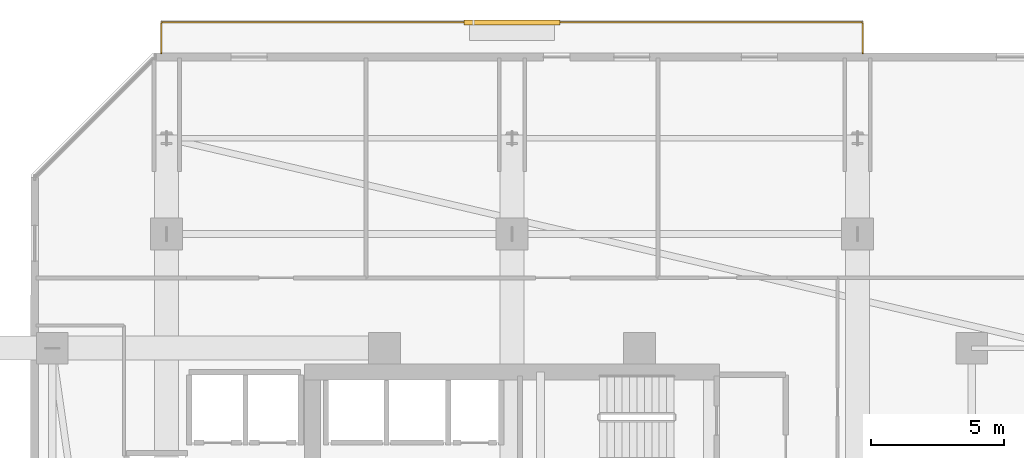
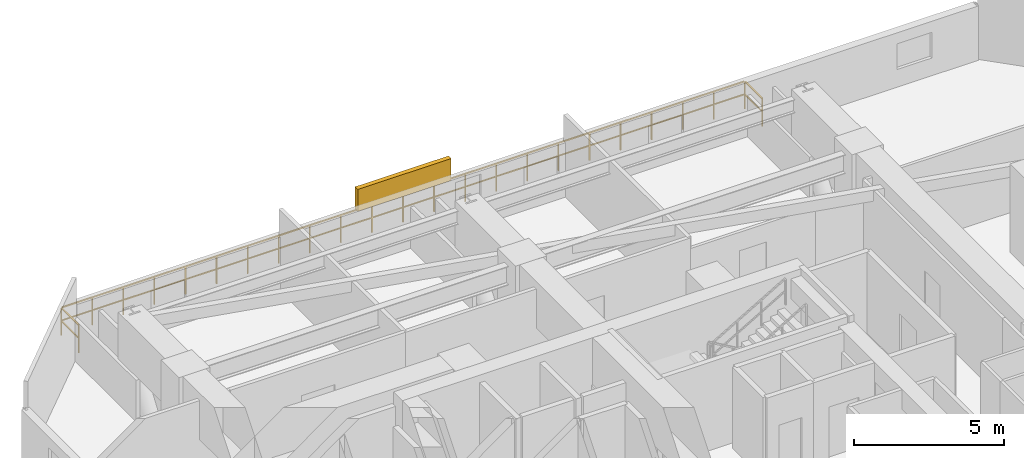
# One storey, part 34 of 36: 1 railing, 1 shading device.
"""IFC4 building model written with IfcOpenShell, lengths in metres."""

from ifc_helpers import new_model, si_unit, direction, frame, origin, origin_2d, place, context, subcontext, project, spatial, rectangle, extrude, material, type_object, element, save


model = new_model("IFC4")

# Units and contexts
model_context = context("Model", 3, precision=1e-05, world=origin(), true_north=direction((0.0, 1.0)))
body_context = subcontext(model_context, "Body", "Model", "MODEL_VIEW")
ifc_project = project(units=[si_unit("LENGTHUNIT", "METRE"), si_unit("AREAUNIT", "SQUARE_METRE"), si_unit("VOLUMEUNIT", "CUBIC_METRE"), si_unit("PLANEANGLEUNIT", "RADIAN"), si_unit("MASSUNIT", "GRAM", prefix="KILO")], contexts=[model_context])

# Site, building, storey
site_placement = place(None, origin())
site = spatial("IfcSite", under=ifc_project, at=site_placement, CompositionType="ELEMENT")
building_placement = place(site_placement, origin())
building = spatial("IfcBuilding", under=site, at=building_placement, Name="Thornwick Lancets Civic Towers", CompositionType="ELEMENT")
storey_placement = place(building_placement, frame((0.0, 0.0, 94.5)))
storey = spatial("IfcBuildingStorey", under=building, at=storey_placement, Name="L24", CompositionType="ELEMENT", Elevation=94.5)

# Railing
ifc_material_1 = material(Name="Terracotta-capped laminated glass balustrade S355", Category="masonry")
railing_type = type_object("IfcRailingType", Name="RAIL_TERR_GUARD", PredefinedType="GUARDRAIL", material=ifc_material_1)
railing_placement = place(storey_placement, frame((12.300048828125, 51.10009765625, 0.0)))
element("IfcRailing", 1, at=railing_placement, inside=storey, type_object=railing_type, Name="L24 Tower A Balcony Guard N", PredefinedType="GUARDRAIL", context=body_context, shape_type="SweptSolid", body=[
    extrude(rectangle(XDim=0.048095703125, YDim=0.048095703125, at=origin_2d()), frame((0.0, 0.0, 1.1259765625), z_axis=(0.0, 1.0, 0.0), x_axis=(-1.0, 0.0, 0.0)), (0.0, 0.0, 1.0), 1.138671875),
    extrude(rectangle(XDim=0.0419921875, YDim=0.0419921875, at=origin_2d()), frame((0.0, 0.03759765625, 0.597900390625), z_axis=(0.0, 1.0, 0.0), x_axis=(-1.0, 0.0, 0.0)), (0.0, 0.0, 1.0), 1.094970703125),
    extrude(rectangle(XDim=0.048095703125, YDim=0.048095703125, at=origin_2d()), frame((0.03125, 1.169921875, 1.1259765625), z_axis=(1.0, 0.0, 0.0), x_axis=(0.0, 1.0, 0.0)), (0.0, 0.0, 1.0), 26.33740234375),
    extrude(rectangle(XDim=0.0419921875, YDim=0.0419921875, at=origin_2d()), frame((0.03759765625, 1.169921875, 0.597900390625), z_axis=(1.0, 0.0, 0.0), x_axis=(0.0, 1.0, 0.0)), (0.0, 0.0, 1.0), 1.125),
    extrude(rectangle(XDim=0.0419921875, YDim=0.0419921875, at=origin_2d()), frame((1.237548828125, 1.169921875, 0.597900390625), z_axis=(1.0, 0.0, 0.0), x_axis=(0.0, 1.0, 0.0)), (0.0, 0.0, 1.0), 1.125),
    extrude(rectangle(XDim=0.0419921875, YDim=0.0419921875, at=origin_2d()), frame((2.4375, 1.169921875, 0.597900390625), z_axis=(1.0, 0.0, 0.0), x_axis=(0.0, 1.0, 0.0)), (0.0, 0.0, 1.0), 1.125),
    extrude(rectangle(XDim=0.0419921875, YDim=0.0419921875, at=origin_2d()), frame((3.637451171875, 1.169921875, 0.597900390625), z_axis=(1.0, 0.0, 0.0), x_axis=(0.0, 1.0, 0.0)), (0.0, 0.0, 1.0), 1.125),
    extrude(rectangle(XDim=0.0419921875, YDim=0.0419921875, at=origin_2d()), frame((4.83740234375, 1.169921875, 0.597900390625), z_axis=(1.0, 0.0, 0.0), x_axis=(0.0, 1.0, 0.0)), (0.0, 0.0, 1.0), 1.125),
    extrude(rectangle(XDim=0.0419921875, YDim=0.0419921875, at=origin_2d()), frame((6.037353515625, 1.169921875, 0.597900390625), z_axis=(1.0, 0.0, 0.0), x_axis=(0.0, 1.0, 0.0)), (0.0, 0.0, 1.0), 1.125),
    extrude(rectangle(XDim=0.0419921875, YDim=0.0419921875, at=origin_2d()), frame((7.237548828125, 1.169921875, 0.597900390625), z_axis=(1.0, 0.0, 0.0), x_axis=(0.0, 1.0, 0.0)), (0.0, 0.0, 1.0), 1.125),
    extrude(rectangle(XDim=0.0419921875, YDim=0.0419921875, at=origin_2d()), frame((8.4375, 1.169921875, 0.597900390625), z_axis=(1.0, 0.0, 0.0), x_axis=(0.0, 1.0, 0.0)), (0.0, 0.0, 1.0), 1.125),
    extrude(rectangle(XDim=0.0419921875, YDim=0.0419921875, at=origin_2d()), frame((9.637451171875, 1.169921875, 0.597900390625), z_axis=(1.0, 0.0, 0.0), x_axis=(0.0, 1.0, 0.0)), (0.0, 0.0, 1.0), 1.125),
    extrude(rectangle(XDim=0.0419921875, YDim=0.0419921875, at=origin_2d()), frame((10.83740234375, 1.169921875, 0.597900390625), z_axis=(1.0, 0.0, 0.0), x_axis=(0.0, 1.0, 0.0)), (0.0, 0.0, 1.0), 1.125),
    extrude(rectangle(XDim=0.0419921875, YDim=0.0419921875, at=origin_2d()), frame((12.037353515625, 1.169921875, 0.597900390625), z_axis=(1.0, 0.0, 0.0), x_axis=(0.0, 1.0, 0.0)), (0.0, 0.0, 1.0), 1.125),
    extrude(rectangle(XDim=0.0419921875, YDim=0.0419921875, at=origin_2d()), frame((13.237548828125, 1.169921875, 0.597900390625), z_axis=(1.0, 0.0, 0.0), x_axis=(0.0, 1.0, 0.0)), (0.0, 0.0, 1.0), 1.125),
    extrude(rectangle(XDim=0.0419921875, YDim=0.0419921875, at=origin_2d()), frame((14.4375, 1.169921875, 0.597900390625), z_axis=(1.0, 0.0, 0.0), x_axis=(0.0, 1.0, 0.0)), (0.0, 0.0, 1.0), 1.125),
    extrude(rectangle(XDim=0.0419921875, YDim=0.0419921875, at=origin_2d()), frame((15.637451171875, 1.169921875, 0.597900390625), z_axis=(1.0, 0.0, 0.0), x_axis=(0.0, 1.0, 0.0)), (0.0, 0.0, 1.0), 1.125),
    extrude(rectangle(XDim=0.0419921875, YDim=0.0419921875, at=origin_2d()), frame((16.83740234375, 1.169921875, 0.597900390625), z_axis=(1.0, 0.0, 0.0), x_axis=(0.0, 1.0, 0.0)), (0.0, 0.0, 1.0), 1.125),
    extrude(rectangle(XDim=0.0419921875, YDim=0.0419921875, at=origin_2d()), frame((18.037353515625, 1.169921875, 0.597900390625), z_axis=(1.0, 0.0, 0.0), x_axis=(0.0, 1.0, 0.0)), (0.0, 0.0, 1.0), 1.125),
    extrude(rectangle(XDim=0.0419921875, YDim=0.0419921875, at=origin_2d()), frame((19.2373046875, 1.169921875, 0.597900390625), z_axis=(1.0, 0.0, 0.0), x_axis=(0.0, 1.0, 0.0)), (0.0, 0.0, 1.0), 1.125),
    extrude(rectangle(XDim=0.0419921875, YDim=0.0419921875, at=origin_2d()), frame((20.4375, 1.169921875, 0.597900390625), z_axis=(1.0, 0.0, 0.0), x_axis=(0.0, 1.0, 0.0)), (0.0, 0.0, 1.0), 1.125),
    extrude(rectangle(XDim=0.0419921875, YDim=0.0419921875, at=origin_2d()), frame((21.637451171875, 1.169921875, 0.597900390625), z_axis=(1.0, 0.0, 0.0), x_axis=(0.0, 1.0, 0.0)), (0.0, 0.0, 1.0), 1.125),
    extrude(rectangle(XDim=0.0419921875, YDim=0.0419921875, at=origin_2d()), frame((22.83740234375, 1.169921875, 0.597900390625), z_axis=(1.0, 0.0, 0.0), x_axis=(0.0, 1.0, 0.0)), (0.0, 0.0, 1.0), 1.125),
    extrude(rectangle(XDim=0.0419921875, YDim=0.0419921875, at=origin_2d()), frame((24.037353515625, 1.169921875, 0.597900390625), z_axis=(1.0, 0.0, 0.0), x_axis=(0.0, 1.0, 0.0)), (0.0, 0.0, 1.0), 1.125),
    extrude(rectangle(XDim=0.0419921875, YDim=0.0419921875, at=origin_2d()), frame((25.2373046875, 1.169921875, 0.597900390625), z_axis=(1.0, 0.0, 0.0), x_axis=(0.0, 1.0, 0.0)), (0.0, 0.0, 1.0), 1.125),
    extrude(rectangle(XDim=0.048095703125, YDim=0.048095703125, at=origin_2d()), frame((26.39990234375, 1.138671875, 1.1259765625), z_axis=(0.0, -1.0, 0.0), x_axis=(1.0, 0.0, 0.0)), (0.0, 0.0, 1.0), 1.138671875),
    extrude(rectangle(XDim=0.0419921875, YDim=0.0419921875, at=origin_2d()), frame((26.39990234375, 1.13232421875, 0.597900390625), z_axis=(0.0, -1.0, 0.0), x_axis=(1.0, 0.0, 0.0)), (0.0, 0.0, 1.0), 1.094970703125),
    extrude(rectangle(XDim=0.0419921875, YDim=0.0419921875, at=origin_2d()), origin(), (0.0, 0.0, 1.0), 1.095703125),
    extrude(rectangle(XDim=0.0419921875, YDim=0.0419921875, at=origin_2d()), frame((0.0, 1.169921875, 0.0)), (0.0, 0.0, 1.0), 1.095703125),
    extrude(rectangle(XDim=0.0419921875, YDim=0.0419921875, at=origin_2d()), frame((1.199951171875, 1.169921875, 0.0)), (0.0, 0.0, 1.0), 1.095703125),
    extrude(rectangle(XDim=0.0419921875, YDim=0.0419921875, at=origin_2d()), frame((2.39990234375, 1.169921875, 0.0)), (0.0, 0.0, 1.0), 1.095703125),
    extrude(rectangle(XDim=0.0419921875, YDim=0.0419921875, at=origin_2d()), frame((3.60009765625, 1.169921875, 0.0)), (0.0, 0.0, 1.0), 1.095703125),
    extrude(rectangle(XDim=0.0419921875, YDim=0.0419921875, at=origin_2d()), frame((4.800048828125, 1.169921875, 0.0)), (0.0, 0.0, 1.0), 1.095703125),
    extrude(rectangle(XDim=0.0419921875, YDim=0.0419921875, at=origin_2d()), frame((6.0, 1.169921875, 0.0)), (0.0, 0.0, 1.0), 1.095703125),
    extrude(rectangle(XDim=0.0419921875, YDim=0.0419921875, at=origin_2d()), frame((7.199951171875, 1.169921875, 0.0)), (0.0, 0.0, 1.0), 1.095703125),
    extrude(rectangle(XDim=0.0419921875, YDim=0.0419921875, at=origin_2d()), frame((8.39990234375, 1.169921875, 0.0)), (0.0, 0.0, 1.0), 1.095703125),
    extrude(rectangle(XDim=0.0419921875, YDim=0.0419921875, at=origin_2d()), frame((9.599853515625, 1.169921875, 0.0)), (0.0, 0.0, 1.0), 1.095703125),
    extrude(rectangle(XDim=0.0419921875, YDim=0.0419921875, at=origin_2d()), frame((10.800048828125, 1.169921875, 0.0)), (0.0, 0.0, 1.0), 1.095703125),
    extrude(rectangle(XDim=0.0419921875, YDim=0.0419921875, at=origin_2d()), frame((12.0, 1.169921875, 0.0)), (0.0, 0.0, 1.0), 1.095703125),
    extrude(rectangle(XDim=0.0419921875, YDim=0.0419921875, at=origin_2d()), frame((13.199951171875, 1.169921875, 0.0)), (0.0, 0.0, 1.0), 1.095703125),
    extrude(rectangle(XDim=0.0419921875, YDim=0.0419921875, at=origin_2d()), frame((14.39990234375, 1.169921875, 0.0)), (0.0, 0.0, 1.0), 1.095703125),
    extrude(rectangle(XDim=0.0419921875, YDim=0.0419921875, at=origin_2d()), frame((15.599853515625, 1.169921875, 0.0)), (0.0, 0.0, 1.0), 1.095703125),
    extrude(rectangle(XDim=0.0419921875, YDim=0.0419921875, at=origin_2d()), frame((16.800048828125, 1.169921875, 0.0)), (0.0, 0.0, 1.0), 1.095703125),
    extrude(rectangle(XDim=0.0419921875, YDim=0.0419921875, at=origin_2d()), frame((18.0, 1.169921875, 0.0)), (0.0, 0.0, 1.0), 1.095703125),
    extrude(rectangle(XDim=0.0419921875, YDim=0.0419921875, at=origin_2d()), frame((19.199951171875, 1.169921875, 0.0)), (0.0, 0.0, 1.0), 1.095703125),
    extrude(rectangle(XDim=0.0419921875, YDim=0.0419921875, at=origin_2d()), frame((20.39990234375, 1.169921875, 0.0)), (0.0, 0.0, 1.0), 1.095703125),
    extrude(rectangle(XDim=0.0419921875, YDim=0.0419921875, at=origin_2d()), frame((21.599853515625, 1.169921875, 0.0)), (0.0, 0.0, 1.0), 1.095703125),
    extrude(rectangle(XDim=0.0419921875, YDim=0.0419921875, at=origin_2d()), frame((22.7998046875, 1.169921875, 0.0)), (0.0, 0.0, 1.0), 1.095703125),
    extrude(rectangle(XDim=0.0419921875, YDim=0.0419921875, at=origin_2d()), frame((24.0, 1.169921875, 0.0)), (0.0, 0.0, 1.0), 1.095703125),
    extrude(rectangle(XDim=0.0419921875, YDim=0.0419921875, at=origin_2d()), frame((25.199951171875, 1.169921875, 0.0)), (0.0, 0.0, 1.0), 1.095703125),
    extrude(rectangle(XDim=0.0419921875, YDim=0.0419921875, at=origin_2d()), frame((26.39990234375, 1.169921875, 0.0)), (0.0, 0.0, 1.0), 1.095703125),
    extrude(rectangle(XDim=0.0419921875, YDim=0.0419921875, at=origin_2d()), frame((26.39990234375, 0.0, 0.0)), (0.0, 0.0, 1.0), 1.095703125),
])

# Shading device
ifc_material_2 = material(Name="Extruded terracotta baguette solar screen", Category="masonry")
shading_device_type = type_object("IfcShadingDeviceType", Name="SHADE_BAGUETTE", PredefinedType="JALOUSIE", material=ifc_material_2)
shading_device_placement = place(storey_placement, frame((25.5, 52.260009765625, 1.1201171875), z_axis=(0.0, 0.0, 1.0), x_axis=(1.0, 0.0, 0.0)))
element("IfcShadingDevice", 2, at=shading_device_placement, inside=storey, type_object=shading_device_type, Name="L24 Tower A Terracotta Baguette Screen N", PredefinedType="JALOUSIE", context=body_context, shape_type="SweptSolid", body=[
    extrude(rectangle(XDim=3.60009765625, YDim=0.179931640625, at=origin_2d()), origin(), (0.0, 0.0, 1.0), 0.89990234375),
])

save(model, "model.ifc")
